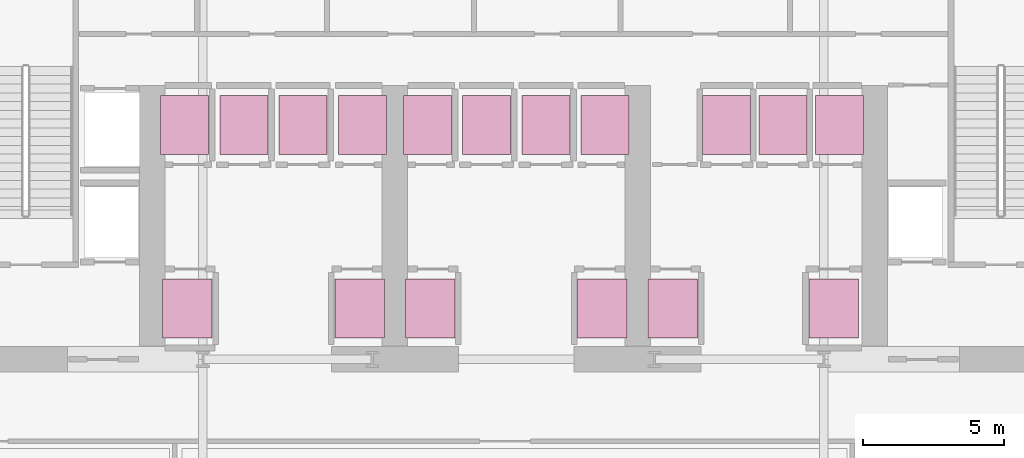
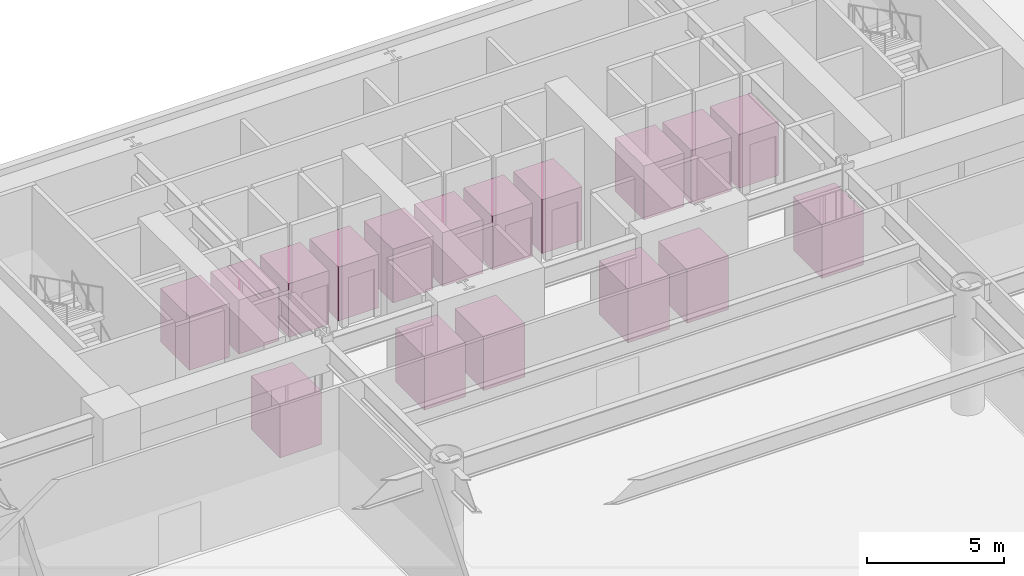
# One storey, part 20 of 20: 17 transport elements.
"""IFC4 building model written with IfcOpenShell, lengths in metres."""

from ifc_helpers import new_model, si_unit, direction, frame, origin, origin_2d, place, context, subcontext, project, spatial, rectangle, extrude, source, transform, mapped, material, type_object, element, save


model = new_model("IFC4")

# Units and contexts
model_context = context("Model", 3, precision=1e-05, world=origin(), true_north=direction((0.0, 1.0)))
body_context = subcontext(model_context, "Body", "Model", "MODEL_VIEW")
ifc_project = project(units=[si_unit("LENGTHUNIT", "METRE"), si_unit("AREAUNIT", "SQUARE_METRE"), si_unit("VOLUMEUNIT", "CUBIC_METRE"), si_unit("PLANEANGLEUNIT", "RADIAN"), si_unit("MASSUNIT", "GRAM", prefix="KILO")], contexts=[model_context])

# Site, building, storey
site_placement = place(None, origin())
site = spatial("IfcSite", under=ifc_project, at=site_placement, CompositionType="ELEMENT")
building_placement = place(site_placement, origin())
building = spatial("IfcBuilding", under=site, at=building_placement, Name="Vaeldorn Concourse Tower", CompositionType="ELEMENT")
storey_placement = place(building_placement, origin())
storey = spatial("IfcBuildingStorey", under=building, at=storey_placement, Name="L00", CompositionType="ELEMENT", Elevation=0.0)

# Transport elements
ifc_material = material(Name="Anodised Bronze Aluminium", Category="aluminium")
transport_element_type = type_object("IfcTransportElementType", Name="LIFT-PASS-1800", PredefinedType="ELEVATOR", material=ifc_material)
shared_shape_1 = source(origin(), body_context, "Body", "SweptSolid", [
    extrude(rectangle(XDim=1.75, YDim=2.10009765625, at=origin_2d()), origin(), (0.0, 0.0, 1.0), 2.39990234375),
])
for number, where, z_axis, x_axis, name in (
    (1, (22.449951171875, 38.300048828125, 0.0), (0.0, 0.0, 1.0), (1.0, 0.0, 0.0), "Elevator Car LF-01"),
    (2, (28.550048828125, 38.300048828125, 0.0), (0.0, 0.0, 1.0), (1.0, 0.0, 0.0), "Elevator Car LF-02"),
    (3, (31.050048828125, 38.300048828125, 0.0), (0.0, 0.0, 1.0), (1.0, 0.0, 0.0), "Elevator Car LF-07"),
    (4, (37.14990234375, 38.300048828125, 0.0), (0.0, 0.0, 1.0), (1.0, 0.0, 0.0), "Elevator Car LF-08"),
    (5, (39.64990234375, 38.300048828125, 0.0), (0.0, 0.0, 1.0), (1.0, 0.0, 0.0), "Elevator Car LF-13"),
    (6, (45.35009765625, 38.300048828125, 0.0), (0.0, 0.0, 1.0), (1.0, 0.0, 0.0), "Elevator Car LF-14"),
):
    element("IfcTransportElement", number, at=place(storey_placement, frame(where, z_axis=z_axis, x_axis=x_axis)), inside=storey, type_object=transport_element_type, Name=name, PredefinedType="ELEVATOR", context=body_context, shape_type="MappedRepresentation", body=[
        mapped(shared_shape_1, transform((0.0, 0.0, 0.0), scale=1.0)),
    ])
shared_shape_2 = source(origin(), body_context, "Body", "SweptSolid", [
    extrude(rectangle(XDim=1.699951171875, YDim=2.10009765625, at=origin_2d()), origin(), (0.0, 0.0, 1.0), 2.39990234375),
])
for number, where, z_axis, x_axis, name in (
    (7, (22.35009765625, 44.800048828125, 0.0), (0.0, 0.0, 1.0), (1.0, 0.0, 0.0), "Elevator Car LF-03"),
    (8, (24.449951171875, 44.800048828125, 0.0), (0.0, 0.0, 1.0), (1.0, 0.0, 0.0), "Elevator Car LF-04"),
    (9, (26.550048828125, 44.800048828125, 0.0), (0.0, 0.0, 1.0), (1.0, 0.0, 0.0), "Elevator Car LF-05"),
    (10, (28.64990234375, 44.800048828125, 0.0), (0.0, 0.0, 1.0), (1.0, 0.0, 0.0), "Elevator Car LF-06"),
    (11, (30.949951171875, 44.800048828125, 0.0), (0.0, 0.0, 1.0), (1.0, 0.0, 0.0), "Elevator Car LF-09"),
    (12, (33.050048828125, 44.800048828125, 0.0), (0.0, 0.0, 1.0), (1.0, 0.0, 0.0), "Elevator Car LF-10"),
    (13, (35.14990234375, 44.800048828125, 0.0), (0.0, 0.0, 1.0), (1.0, 0.0, 0.0), "Elevator Car LF-11"),
    (14, (37.25, 44.800048828125, 0.0), (0.0, 0.0, 1.0), (1.0, 0.0, 0.0), "Elevator Car LF-12"),
    (15, (41.550048828125, 44.800048828125, 0.0), (0.0, 0.0, 1.0), (1.0, 0.0, 0.0), "Elevator Car LF-15"),
    (16, (43.550048828125, 44.800048828125, 0.0), (0.0, 0.0, 1.0), (1.0, 0.0, 0.0), "Elevator Car LF-16"),
    (17, (45.550048828125, 44.800048828125, 0.0), (0.0, 0.0, 1.0), (1.0, 0.0, 0.0), "Elevator Car LF-17"),
):
    element("IfcTransportElement", number, at=place(storey_placement, frame(where, z_axis=z_axis, x_axis=x_axis)), inside=storey, type_object=transport_element_type, Name=name, PredefinedType="ELEVATOR", context=body_context, shape_type="MappedRepresentation", body=[
        mapped(shared_shape_2, transform((0.0, 0.0, 0.0), scale=1.0)),
    ])

save(model, "model.ifc")
